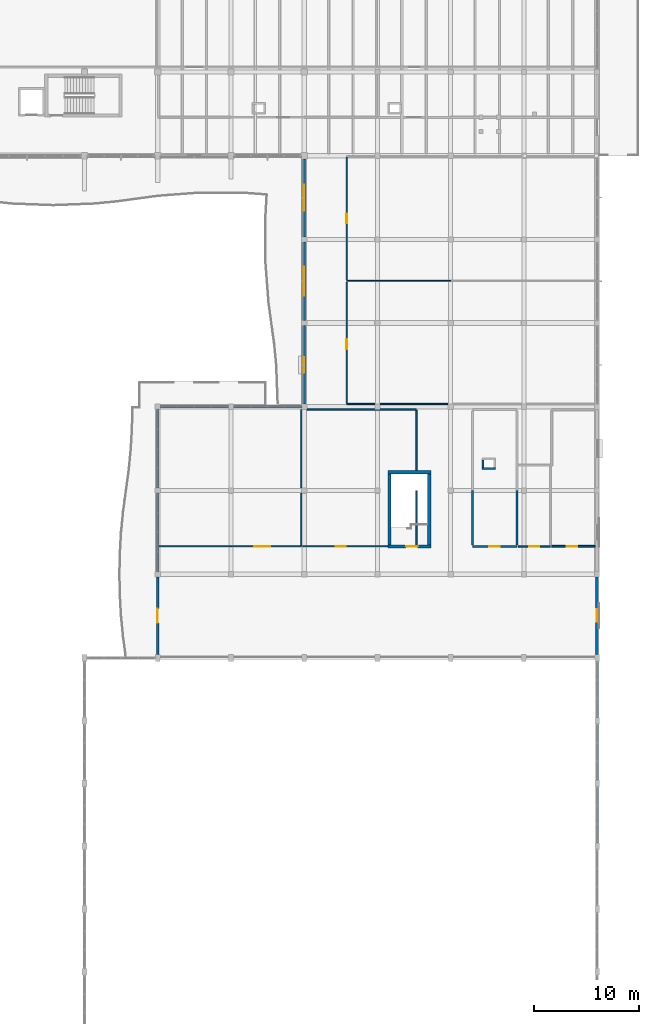
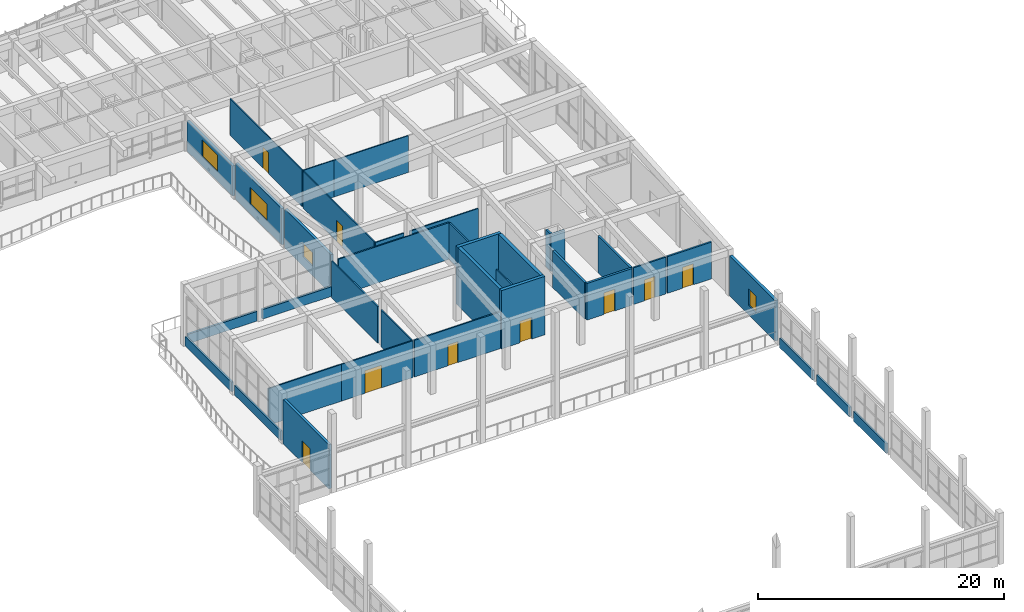
# One storey, part 63 of 89: 37 walls, 9 doors, 4 windows, 13 openings.
"""IFC4 building model written with IfcOpenShell, lengths in metres."""

from ifc_helpers import new_model, si_unit, direction, frame, frame_2d, origin, place, context, subcontext, project, spatial, rectangle, extrude, material, layer, layer_set, type_object, element, fill, save


model = new_model("IFC4")

# Units and contexts
model_context = context("Model", 3, precision=1e-05, world=origin(), true_north=direction((0.0, 1.0)))
body_context = subcontext(model_context, "Body", "Model", "MODEL_VIEW")
ifc_project = project(units=[si_unit("LENGTHUNIT", "METRE"), si_unit("AREAUNIT", "SQUARE_METRE"), si_unit("VOLUMEUNIT", "CUBIC_METRE"), si_unit("PLANEANGLEUNIT", "RADIAN"), si_unit("MASSUNIT", "GRAM", prefix="KILO")], contexts=[model_context])

# Site, building, storey
site_placement = place(None, origin())
site = spatial("IfcSite", under=ifc_project, at=site_placement, CompositionType="ELEMENT")
building_placement = place(site_placement, origin())
building = spatial("IfcBuilding", under=site, at=building_placement, Name="Tonlespit Floodbar School", CompositionType="ELEMENT")
storey_placement = place(building_placement, frame((0.0, 0.0, 4.5)))
storey = spatial("IfcBuildingStorey", under=building, at=storey_placement, Name="L01", CompositionType="ELEMENT", Elevation=4.5)

# Wall, opening, door
ifc_material_1 = material(Name="Concrete C40/50", Category="concrete")
ifc_layer_1 = layer(ifc_material_1, 0.300048828125)
ifc_layer_set_1 = layer_set([ifc_layer_1], Name="Concrete C40/50")
wall_type_1 = type_object("IfcWallType", Name="CoreWall_RC_300", PredefinedType="SHEAR", material=ifc_layer_set_1)
wall_1_placement = place(storey_placement, frame((160.10009765625, 66.64990234375, 0.0), z_axis=(0.0, 0.0, 1.0), x_axis=(-1.0, 0.0, 0.0)))
wall_1 = element("IfcWall", 1, at=wall_1_placement, inside=storey, type_object=wall_type_1, Name="L01 core C5 shear wall NEAR", PredefinedType="SHEAR", context=body_context, shape_type="SweptSolid", body=[
    extrude(rectangle(XDim=4.10009765625, YDim=0.300048828125, at=frame_2d((2.050048828125, 0.0))), origin(), (0.0, 0.0, 1.0), 5.802734375),
])
opening_1_placement = place(wall_1_placement, frame((1.25, 0.0, 0.0)))
opening_1 = element("IfcOpeningElement", 2, at=opening_1_placement, cuts=wall_1, Name="Opening FD1-C5-L01", PredefinedType="OPENING", context=body_context, shape_type="SweptSolid", body=[
    extrude(rectangle(XDim=1.10009765625, YDim=2.14990234375, at=frame_2d((0.550048828125, 1.074951171875))), frame((0.0, 0.159912109375, 0.0), z_axis=(0.0, -1.0, 0.0), x_axis=(1.0, 0.0, 0.0)), (0.0, 0.0, 1.0), 0.320068359375),
])
ifc_material_2 = material(Name="Galvanised Steel", Category="steel")
door_type_1 = type_object("IfcDoorType", Name="FireDoor_Stair_1100x2150", OperationType="NOTDEFINED", PredefinedType="DOOR", material=ifc_material_2)
door_1_placement = place(opening_1_placement, origin())
door_1 = element("IfcDoor", 3, at=door_1_placement, inside=storey, type_object=door_type_1, Name="L01 stair ST-C5 fire door", OperationType="SINGLE_SWING_LEFT", OverallHeight=2.14990234375, OverallWidth=1.10009765625, PredefinedType="DOOR", context=body_context, shape_type="SweptSolid", body=[
    extrude(rectangle(XDim=1.10009765625, YDim=2.14990234375, at=frame_2d((0.550048828125, 1.074951171875))), frame((0.0, 0.02490234375, 0.0), z_axis=(0.0, -1.0, 0.0), x_axis=(1.0, 0.0, 0.0)), (0.0, 0.0, 1.0), 0.050048828125),
])
fill(opening_1, door_1)

# Walls
wall_2_placement = place(storey_placement, frame((156.0, 73.75, 0.0), z_axis=(0.0, 0.0, 1.0), x_axis=(1.0, 0.0, 0.0)))
element("IfcWall", 4, at=wall_2_placement, inside=storey, type_object=wall_type_1, Name="L01 core C5 shear wall FAR", PredefinedType="SHEAR", context=body_context, shape_type="SweptSolid", body=[
    extrude(rectangle(XDim=4.10009765625, YDim=0.300048828125, at=frame_2d((2.050048828125, 0.0))), origin(), (0.0, 0.0, 1.0), 5.802734375),
])
for number, where, z_axis, x_axis, name in (
    (5, (159.949951171875, 66.800048828125, 0.0), (0.0, 0.0, 1.0), (0.0, 1.0, 0.0), "L01 core C5 shear wall LEFT"),
    (6, (156.14990234375, 73.60009765625, 0.0), (0.0, 0.0, 1.0), (0.0, -1.0, 0.0), "L01 core C5 shear wall RGHT"),
):
    element("IfcWall", number, at=place(storey_placement, frame(where, z_axis=z_axis, x_axis=x_axis)), inside=storey, type_object=wall_type_1, Name=name, PredefinedType="SHEAR", context=body_context, shape_type="SweptSolid", body=[
        extrude(rectangle(XDim=6.800048828125, YDim=0.300048828125, at=frame_2d((3.39990234375, 0.0))), origin(), (0.0, 0.0, 1.0), 5.802734375),
    ])

# Wall, opening, door
ifc_material_3 = material(Name="Precast concrete C40/50", Category="concrete")
ifc_layer_2 = layer(ifc_material_3, 0.239990234375)
ifc_layer_set_2 = layer_set([ifc_layer_2], Name="Precast concrete C40/50")
wall_type_2 = type_object("IfcWallType", Name="ExtWall_Rainscreen_240", PredefinedType="SOLIDWALL", material=ifc_layer_set_2)
wall_3_placement = place(storey_placement, frame((134.0, 56.324951171875, 0.0), z_axis=(0.0, 0.0, 1.0), x_axis=(0.0, 1.0, 0.0)))
wall_3 = element("IfcWall", 7, at=wall_3_placement, inside=storey, type_object=wall_type_2, Name="L01 external wall 0502", PredefinedType="SOLIDWALL", context=body_context, shape_type="SweptSolid", body=[
    extrude(rectangle(XDim=7.425048828125, YDim=0.239990234375, at=frame_2d((3.71240234375, 0.0))), origin(), (0.0, 0.0, 1.0), 4.39990234375),
])
opening_2_placement = place(wall_3_placement, frame((3.03759765625, 0.0, 0.0)))
opening_2 = element("IfcOpeningElement", 8, at=opening_2_placement, cuts=wall_3, Name="Opening D-TR-027", PredefinedType="OPENING", context=body_context, shape_type="SweptSolid", body=[
    extrude(rectangle(XDim=1.35009765625, YDim=2.14990234375, at=frame_2d((0.675048828125, 1.074951171875))), frame((0.0, 0.1298828125, 0.0), z_axis=(0.0, -1.0, 0.0), x_axis=(1.0, 0.0, 0.0)), (0.0, 0.0, 1.0), 0.260009765625),
])
ifc_material_4 = material(Name="Anodised Aluminium", Category="aluminium")
door_type_2 = type_object("IfcDoorType", Name="ExtDoor_Terrace_1350x2150", OperationType="NOTDEFINED", PredefinedType="DOOR", material=ifc_material_4)
door_2_placement = place(opening_2_placement, origin())
door_2 = element("IfcDoor", 9, at=door_2_placement, inside=storey, type_object=door_type_2, Name="L01 exterior door D-TR-027", OperationType="SINGLE_SWING_LEFT", OverallHeight=2.14990234375, OverallWidth=1.35009765625, PredefinedType="DOOR", context=body_context, shape_type="SweptSolid", body=[
    extrude(rectangle(XDim=1.35009765625, YDim=2.14990234375, at=frame_2d((0.675048828125, 1.074951171875))), frame((0.0, 0.02490234375, 0.0), z_axis=(0.0, -1.0, 0.0), x_axis=(1.0, 0.0, 0.0)), (0.0, 0.0, 1.0), 0.050048828125),
])
fill(opening_2, door_2)

# Wall, opening, window
wall_4_placement = place(storey_placement, frame((148.0, 96.25, 0.0), z_axis=(0.0, 0.0, 1.0), x_axis=(0.0, 1.0, 0.0)))
wall_4 = element("IfcWall", 10, at=wall_4_placement, inside=storey, type_object=wall_type_2, Name="L01 external wall 0590", PredefinedType="SOLIDWALL", context=body_context, shape_type="SweptSolid", body=[
    extrude(rectangle(XDim=7.449951171875, YDim=0.239990234375, at=frame_2d((3.72509765625, 0.0))), origin(), (0.0, 0.0, 1.0), 3.0),
])
opening_3_placement = place(wall_4_placement, frame((2.47509765625, 0.0, 0.949951171875)))
opening_3 = element("IfcOpeningElement", 11, at=opening_3_placement, cuts=wall_4, Name="Opening W-L01-079", PredefinedType="OPENING", context=body_context, shape_type="SweptSolid", body=[
    extrude(rectangle(XDim=2.5, YDim=1.64990234375, at=frame_2d((1.25, 0.824951171875))), frame((0.0, 0.1298828125, 0.0), z_axis=(0.0, -1.0, 0.0), x_axis=(1.0, 0.0, 0.0)), (0.0, 0.0, 1.0), 0.260009765625),
])
ifc_material_5 = material(Name="Tempered Double Glazing", Category="glass")
window_type_1 = type_object("IfcWindowType", Name="Win_Mod_2500x1650", PartitioningType="DOUBLE_PANEL_VERTICAL", PredefinedType="WINDOW", material=ifc_material_5)
window_1_placement = place(opening_3_placement, origin())
window_1 = element("IfcWindow", 12, at=window_1_placement, inside=storey, type_object=window_type_1, Name="L01 window W-L01-079", OverallHeight=1.64990234375, OverallWidth=2.5, PartitioningType="DOUBLE_PANEL_VERTICAL", PredefinedType="WINDOW", context=body_context, shape_type="SweptSolid", body=[
    extrude(rectangle(XDim=2.5, YDim=1.64990234375, at=frame_2d((1.25, 0.824951171875))), frame((0.0, 0.030029296875, 0.0), z_axis=(0.0, -1.0, 0.0), x_axis=(1.0, 0.0, 0.0)), (0.0, 0.0, 1.0), 0.06005859375),
])
fill(opening_3, window_1)

wall_5_placement = place(storey_placement, frame((148.0, 88.25, 0.0), z_axis=(0.0, 0.0, 1.0), x_axis=(0.0, 1.0, 0.0)))
wall_5 = element("IfcWall", 13, at=wall_5_placement, inside=storey, type_object=wall_type_2, Name="L01 external wall 0592", PredefinedType="SOLIDWALL", context=body_context, shape_type="SweptSolid", body=[
    extrude(rectangle(XDim=7.5, YDim=0.239990234375, at=frame_2d((3.75, 0.0))), origin(), (0.0, 0.0, 1.0), 3.606201171875),
])
opening_4_placement = place(wall_5_placement, frame((2.375, 0.0, 0.949951171875)))
opening_4 = element("IfcOpeningElement", 14, at=opening_4_placement, cuts=wall_5, Name="Opening W-L01-080", PredefinedType="OPENING", context=body_context, shape_type="SweptSolid", body=[
    extrude(rectangle(XDim=2.75, YDim=1.64990234375, at=frame_2d((1.375, 0.824951171875))), frame((0.0, 0.1298828125, 0.0), z_axis=(0.0, -1.0, 0.0), x_axis=(1.0, 0.0, 0.0)), (0.0, 0.0, 1.0), 0.260009765625),
])
window_type_2 = type_object("IfcWindowType", Name="Win_Mod_2750x1650", PartitioningType="DOUBLE_PANEL_VERTICAL", PredefinedType="WINDOW", material=ifc_material_5)
window_2_placement = place(opening_4_placement, origin())
window_2 = element("IfcWindow", 15, at=window_2_placement, inside=storey, type_object=window_type_2, Name="L01 window W-L01-080", OverallHeight=1.64990234375, OverallWidth=2.75, PartitioningType="DOUBLE_PANEL_VERTICAL", PredefinedType="WINDOW", context=body_context, shape_type="SweptSolid", body=[
    extrude(rectangle(XDim=2.75, YDim=1.64990234375, at=frame_2d((1.375, 0.824951171875))), frame((0.0, 0.030029296875, 0.0), z_axis=(0.0, -1.0, 0.0), x_axis=(1.0, 0.0, 0.0)), (0.0, 0.0, 1.0), 0.06005859375),
])
fill(opening_4, window_2)

wall_6_placement = place(storey_placement, frame((148.0, 80.25, 0.0), z_axis=(0.0, 0.0, 1.0), x_axis=(0.0, 1.0, 0.0)))
wall_6 = element("IfcWall", 16, at=wall_6_placement, inside=storey, type_object=wall_type_2, Name="L01 external wall 0594", PredefinedType="SOLIDWALL", context=body_context, shape_type="SweptSolid", body=[
    extrude(rectangle(XDim=7.5, YDim=0.239990234375, at=frame_2d((3.75, 0.0))), origin(), (0.0, 0.0, 1.0), 3.8837890625),
])
opening_5_placement = place(wall_6_placement, frame((3.0, 0.0, 0.949951171875)))
opening_5 = element("IfcOpeningElement", 17, at=opening_5_placement, cuts=wall_6, Name="Opening W-L01-081", PredefinedType="OPENING", context=body_context, shape_type="SweptSolid", body=[
    extrude(rectangle(XDim=1.5, YDim=1.35009765625, at=frame_2d((0.75, 0.675048828125))), frame((0.0, 0.1298828125, 0.0), z_axis=(0.0, -1.0, 0.0), x_axis=(1.0, 0.0, 0.0)), (0.0, 0.0, 1.0), 0.260009765625),
])
window_type_3 = type_object("IfcWindowType", Name="Win_Mod_1500x1350", PartitioningType="SINGLE_PANEL", PredefinedType="WINDOW", material=ifc_material_5)
window_3_placement = place(opening_5_placement, origin())
window_3 = element("IfcWindow", 18, at=window_3_placement, inside=storey, type_object=window_type_3, Name="L01 window W-L01-081", OverallHeight=1.35009765625, OverallWidth=1.5, PartitioningType="SINGLE_PANEL", PredefinedType="WINDOW", context=body_context, shape_type="SweptSolid", body=[
    extrude(rectangle(XDim=1.5, YDim=1.35009765625, at=frame_2d((0.75, 0.675048828125))), frame((0.0, 0.030029296875, 0.0), z_axis=(0.0, -1.0, 0.0), x_axis=(1.0, 0.0, 0.0)), (0.0, 0.0, 1.0), 0.06005859375),
])
fill(opening_5, window_3)

ifc_layer_3 = layer(ifc_material_3, 0.27490234375)
ifc_layer_set_3 = layer_set([ifc_layer_3], Name="Precast concrete C40/50")
wall_type_3 = type_object("IfcWallType", Name="ExtWall_Rainscreen_275", PredefinedType="SOLIDWALL", material=ifc_layer_set_3)
wall_7_placement = place(storey_placement, frame((176.0, 63.75, 0.0), z_axis=(0.0, 0.0, 1.0), x_axis=(0.0, -1.0, 0.0)))
wall_7 = element("IfcWall", 19, at=wall_7_placement, inside=storey, type_object=wall_type_3, Name="L01 external wall 0503", PredefinedType="SOLIDWALL", context=body_context, shape_type="SweptSolid", body=[
    extrude(rectangle(XDim=7.425048828125, YDim=0.27490234375, at=frame_2d((3.71240234375, 0.0))), origin(), (0.0, 0.0, 1.0), 4.004638671875),
])
opening_6_placement = place(wall_7_placement, frame((3.112548828125, 0.0, 0.949951171875)))
opening_6 = element("IfcOpeningElement", 20, at=opening_6_placement, cuts=wall_7, Name="Opening W-L01-073", PredefinedType="OPENING", context=body_context, shape_type="SweptSolid", body=[
    extrude(rectangle(XDim=1.199951171875, YDim=1.64990234375, at=frame_2d((0.60009765625, 0.824951171875))), frame((0.0, 0.1474609375, 0.0), z_axis=(0.0, -1.0, 0.0), x_axis=(1.0, 0.0, 0.0)), (0.0, 0.0, 1.0), 0.294921875),
])
window_type_4 = type_object("IfcWindowType", Name="Win_Mod_1200x1650", PartitioningType="SINGLE_PANEL", PredefinedType="WINDOW", material=ifc_material_5)
window_4_placement = place(opening_6_placement, origin())
window_4 = element("IfcWindow", 21, at=window_4_placement, inside=storey, type_object=window_type_4, Name="L01 window W-L01-073", OverallHeight=1.64990234375, OverallWidth=1.199951171875, PartitioningType="SINGLE_PANEL", PredefinedType="WINDOW", context=body_context, shape_type="SweptSolid", body=[
    extrude(rectangle(XDim=1.199951171875, YDim=1.64990234375, at=frame_2d((0.60009765625, 0.824951171875))), frame((0.0, 0.030029296875, 0.0), z_axis=(0.0, -1.0, 0.0), x_axis=(1.0, 0.0, 0.0)), (0.0, 0.0, 1.0), 0.06005859375),
])
fill(opening_6, window_4)

# Walls
ifc_material_6 = material(Name="White Architectural Precast concrete C40/50", Category="concrete")
ifc_layer_4 = layer(ifc_material_6, 0.18505859375)
ifc_layer_set_4 = layer_set([ifc_layer_4], Name="White Architectural Precast concrete C40/50")
wall_type_4 = type_object("IfcWallType", Name="ExtWall_Spandrel_White_185", PredefinedType="SOLIDWALL", material=ifc_layer_set_4)
for number, where, z_axis, x_axis, name in (
    (22, (176.0, 55.675048828125, -0.260009765625), (0.0, 0.0, 1.0), (0.0, -1.0, 0.0), "L01 spandrel wall 0481"),
    (23, (176.0, 49.675048828125, -0.260009765625), (0.0, 0.0, 1.0), (0.0, -1.0, 0.0), "L01 spandrel wall 0483"),
    (24, (176.0, 43.675048828125, -0.260009765625), (0.0, 0.0, 1.0), (0.0, -1.0, 0.0), "L01 spandrel wall 0485"),
):
    element("IfcWall", number, at=place(storey_placement, frame(where, z_axis=z_axis, x_axis=x_axis)), inside=storey, type_object=wall_type_4, Name=name, PredefinedType="SOLIDWALL", context=body_context, shape_type="SweptSolid", body=[
        extrude(rectangle(XDim=5.35009765625, YDim=0.18505859375, at=frame_2d((2.675048828125, 0.0))), origin(), (0.0, 0.0, 1.0), 0.949951171875),
    ])
for number, where, z_axis, x_axis, name in (
    (25, (134.0, 64.25, 0.0), (0.0, 0.0, 1.0), (0.0, 1.0, 0.0), "L01 spandrel wall 0504"),
    (26, (134.0, 72.25, 0.0), (0.0, 0.0, 1.0), (0.0, 1.0, 0.0), "L01 spandrel wall 0506"),
):
    element("IfcWall", number, at=place(storey_placement, frame(where, z_axis=z_axis, x_axis=x_axis)), inside=storey, type_object=wall_type_4, Name=name, PredefinedType="SOLIDWALL", context=body_context, shape_type="SweptSolid", body=[
        extrude(rectangle(XDim=7.5, YDim=0.18505859375, at=frame_2d((3.75, 0.0))), origin(), (0.0, 0.0, 1.0), 0.949951171875),
    ])
for number, where, z_axis, x_axis, name in (
    (27, (134.25, 80.0, 0.0), (0.0, 0.0, 1.0), (1.0, 0.0, 0.0), "L01 spandrel wall 0508"),
    (28, (141.25, 80.0, 0.0), (0.0, 0.0, 1.0), (1.0, 0.0, 0.0), "L01 spandrel wall 0509"),
):
    element("IfcWall", number, at=place(storey_placement, frame(where, z_axis=z_axis, x_axis=x_axis)), inside=storey, type_object=wall_type_4, Name=name, PredefinedType="SOLIDWALL", context=body_context, shape_type="SweptSolid", body=[
        extrude(rectangle(XDim=6.5, YDim=0.18505859375, at=frame_2d((3.25, 0.0))), origin(), (0.0, 0.0, 1.0), 0.949951171875),
    ])
ifc_layer_5 = layer(ifc_material_1, 0.199951171875)
ifc_layer_set_5 = layer_set([ifc_layer_5], Name="Concrete C40/50")
wall_type_5 = type_object("IfcWallType", Name="FireWall_Plant_200", PredefinedType="PARTITIONING", material=ifc_layer_set_5)
wall_8_placement = place(storey_placement, frame((166.300048828125, 74.10009765625, 0.0), z_axis=(0.0, 0.0, 1.0), x_axis=(-1.0, 0.0, 0.0)))
element("IfcWall", 29, at=wall_8_placement, inside=storey, type_object=wall_type_5, Name="L01 service riser 08 wall S", PredefinedType="PARTITIONING", context=body_context, shape_type="SweptSolid", body=[
    extrude(rectangle(XDim=1.300048828125, YDim=0.199951171875, at=frame_2d((0.64990234375, 0.0))), origin(), (0.0, 0.0, 1.0), 3.64990234375),
])
wall_9_placement = place(storey_placement, frame((165.10009765625, 74.199951171875, 0.0), z_axis=(0.0, 0.0, 1.0), x_axis=(0.0, 1.0, 0.0)))
element("IfcWall", 30, at=wall_9_placement, inside=storey, type_object=wall_type_5, Name="L01 service riser 08 wall W", PredefinedType="PARTITIONING", context=body_context, shape_type="SweptSolid", body=[
    extrude(rectangle(XDim=0.699951171875, YDim=0.199951171875, at=frame_2d((0.35009765625, 0.0))), origin(), (0.0, 0.0, 1.0), 3.64990234375),
])

# Wall, opening, door
wall_10_placement = place(storey_placement, frame((164.070068359375, 66.669921875, 0.0), z_axis=(0.0, 0.0, 1.0), x_axis=(1.0, 0.0, 0.0)))
wall_10 = element("IfcWall", 31, at=wall_10_placement, inside=storey, type_object=wall_type_5, Name="L01 partition wall 0308", PredefinedType="PARTITIONING", context=body_context, shape_type="SweptSolid", body=[
    extrude(rectangle(XDim=4.260009765625, YDim=0.199951171875, at=frame_2d((2.1298828125, 0.0))), origin(), (0.0, 0.0, 1.0), 3.64990234375),
])
opening_7_placement = place(wall_10_placement, frame((1.6298828125, 0.0, 0.0)))
opening_7 = element("IfcOpeningElement", 32, at=opening_7_placement, cuts=wall_10, Name="Opening D-L01-089", PredefinedType="OPENING", context=body_context, shape_type="SweptSolid", body=[
    extrude(rectangle(XDim=1.0, YDim=2.14990234375, at=frame_2d((0.5, 1.074951171875))), frame((0.0, 0.10986328125, 0.0), z_axis=(0.0, -1.0, 0.0), x_axis=(1.0, 0.0, 0.0)), (0.0, 0.0, 1.0), 0.219970703125),
])
ifc_material_7 = material(Name="Hardwood Timber", Category="wood")
door_type_3 = type_object("IfcDoorType", Name="FireDoor_Compartment_1000x2150", OperationType="NOTDEFINED", PredefinedType="DOOR", material=ifc_material_7)
door_3_placement = place(opening_7_placement, origin())
door_3 = element("IfcDoor", 33, at=door_3_placement, inside=storey, type_object=door_type_3, Name="L01 interior door D-L01-089", OperationType="SINGLE_SWING_RIGHT", OverallHeight=2.14990234375, OverallWidth=1.0, PredefinedType="DOOR", context=body_context, shape_type="SweptSolid", body=[
    extrude(rectangle(XDim=1.0, YDim=2.14990234375, at=frame_2d((0.5, 1.074951171875))), frame((0.0, 0.02490234375, 0.0), z_axis=(0.0, -1.0, 0.0), x_axis=(1.0, 0.0, 0.0)), (0.0, 0.0, 1.0), 0.050048828125),
])
fill(opening_7, door_3)

# Walls
for number, where, z_axis, x_axis, name in (
    (34, (164.070068359375, 66.784912109375, 0.0), (0.0, 0.0, 1.0), (0.0, 1.0, 0.0), "L01 partition wall 0310"),
    (35, (168.330078125, 66.784912109375, 0.0), (0.0, 0.0, 1.0), (0.0, 1.0, 0.0), "L01 partition wall 0312"),
):
    element("IfcWall", number, at=place(storey_placement, frame(where, z_axis=z_axis, x_axis=x_axis)), inside=storey, type_object=wall_type_5, Name=name, PredefinedType="PARTITIONING", context=body_context, shape_type="SweptSolid", body=[
        extrude(rectangle(XDim=5.215087890625, YDim=0.199951171875, at=frame_2d((2.607421875, 0.0))), origin(), (0.0, 0.0, 1.0), 3.64990234375),
    ])
ifc_material_8 = material(Name="Gypsum Plasterboard Partition")
ifc_layer_6 = layer(ifc_material_8, 0.10009765625)
ifc_layer_set_6 = layer_set([ifc_layer_6], Name="Gypsum Plasterboard Partition")
wall_type_6 = type_object("IfcWallType", Name="Partition_Gyp_100", PredefinedType="PARTITIONING", material=ifc_layer_set_6)
wall_11_placement = place(storey_placement, frame((152.070068359375, 92.070068359375, 0.0), z_axis=(0.0, 0.0, 1.0), x_axis=(1.0, 0.0, 0.0)))
element("IfcWall", 36, at=wall_11_placement, inside=storey, type_object=wall_type_6, Name="L01 partition wall 0376", PredefinedType="PARTITIONING", context=body_context, shape_type="SweptSolid", body=[
    extrude(rectangle(XDim=2.929931640625, YDim=0.10009765625, at=frame_2d((1.46484375, 0.0))), origin(), (0.0, 0.0, 1.0), 3.64990234375),
])
wall_12_placement = place(storey_placement, frame((155.0, 92.070068359375, 0.0), z_axis=(0.0, 0.0, 1.0), x_axis=(1.0, 0.0, 0.0)))
element("IfcWall", 37, at=wall_12_placement, inside=storey, type_object=wall_type_6, Name="L01 partition wall 0377", PredefinedType="PARTITIONING", context=body_context, shape_type="SweptSolid", body=[
    extrude(rectangle(XDim=7.0, YDim=0.10009765625, at=frame_2d((3.5, 0.0))), origin(), (0.0, 0.0, 1.0), 3.64990234375),
])

# Wall, opening, door
wall_13_placement = place(storey_placement, frame((152.070068359375, 92.135009765625, 0.0), z_axis=(0.0, 0.0, 1.0), x_axis=(0.0, 1.0, 0.0)))
wall_13 = element("IfcWall", 38, at=wall_13_placement, inside=storey, type_object=wall_type_6, Name="L01 partition wall 0384", PredefinedType="PARTITIONING", context=body_context, shape_type="SweptSolid", body=[
    extrude(rectangle(XDim=11.72998046875, YDim=0.10009765625, at=frame_2d((5.864990234375, 0.0))), origin(), (0.0, 0.0, 1.0), 3.64990234375),
])
opening_8_placement = place(wall_13_placement, frame((5.405029296875, 0.0, 0.0)))
opening_8 = element("IfcOpeningElement", 39, at=opening_8_placement, cuts=wall_13, Name="Opening D-L01-104", PredefinedType="OPENING", context=body_context, shape_type="SweptSolid", body=[
    extrude(rectangle(XDim=0.919921875, YDim=2.10009765625, at=frame_2d((0.4599609375, 1.050048828125))), frame((0.0, 0.06005859375, 0.0), z_axis=(0.0, -1.0, 0.0), x_axis=(1.0, 0.0, 0.0)), (0.0, 0.0, 1.0), 0.1201171875),
])
door_type_4 = type_object("IfcDoorType", Name="IntDoor_920x2100", OperationType="NOTDEFINED", PredefinedType="DOOR", material=ifc_material_7)
door_4_placement = place(opening_8_placement, origin())
door_4 = element("IfcDoor", 40, at=door_4_placement, inside=storey, type_object=door_type_4, Name="L01 interior door D-L01-104", OperationType="SINGLE_SWING_LEFT", OverallHeight=2.10009765625, OverallWidth=0.919921875, PredefinedType="DOOR", context=body_context, shape_type="SweptSolid", body=[
    extrude(rectangle(XDim=0.919921875, YDim=2.10009765625, at=frame_2d((0.4599609375, 1.050048828125))), frame((0.0, 0.02490234375, 0.0), z_axis=(0.0, -1.0, 0.0), x_axis=(1.0, 0.0, 0.0)), (0.0, 0.0, 1.0), 0.050048828125),
])
fill(opening_8, door_4)

# Walls
ifc_layer_7 = layer(ifc_material_8, 0.110107421875)
ifc_layer_set_7 = layer_set([ifc_layer_7], Name="Gypsum Plasterboard Partition")
wall_type_7 = type_object("IfcWallType", Name="Partition_Gyp_110", PredefinedType="PARTITIONING", material=ifc_layer_set_7)
wall_14_placement = place(storey_placement, frame((152.070068359375, 80.27001953125, 0.0), z_axis=(0.0, 0.0, 1.0), x_axis=(1.0, 0.0, 0.0)))
element("IfcWall", 41, at=wall_14_placement, inside=storey, type_object=wall_type_7, Name="L01 partition wall 0385", PredefinedType="PARTITIONING", context=body_context, shape_type="SweptSolid", body=[
    extrude(rectangle(XDim=2.6650390625, YDim=0.110107421875, at=frame_2d((1.33251953125, 0.0))), origin(), (0.0, 0.0, 1.0), 3.64990234375),
])
wall_15_placement = place(storey_placement, frame((155.264892578125, 80.27001953125, 0.0), z_axis=(0.0, 0.0, 1.0), x_axis=(1.0, 0.0, 0.0)))
element("IfcWall", 42, at=wall_15_placement, inside=storey, type_object=wall_type_7, Name="L01 partition wall 0386", PredefinedType="PARTITIONING", context=body_context, shape_type="SweptSolid", body=[
    extrude(rectangle(XDim=6.47021484375, YDim=0.110107421875, at=frame_2d((3.235107421875, 0.0))), origin(), (0.0, 0.0, 1.0), 3.64990234375),
])

# Wall, opening, door
wall_16_placement = place(storey_placement, frame((152.070068359375, 80.340087890625, 0.0), z_axis=(0.0, 0.0, 1.0), x_axis=(0.0, 1.0, 0.0)))
wall_16 = element("IfcWall", 43, at=wall_16_placement, inside=storey, type_object=wall_type_7, Name="L01 partition wall 0389", PredefinedType="PARTITIONING", context=body_context, shape_type="SweptSolid", body=[
    extrude(rectangle(XDim=11.58984375, YDim=0.110107421875, at=frame_2d((5.794921875, 0.0))), origin(), (0.0, 0.0, 1.0), 3.64990234375),
])
opening_9_placement = place(wall_16_placement, frame((5.18505859375, 0.0, 0.0)))
opening_9 = element("IfcOpeningElement", 44, at=opening_9_placement, cuts=wall_16, Name="Opening D-L01-105", PredefinedType="OPENING", context=body_context, shape_type="SweptSolid", body=[
    extrude(rectangle(XDim=0.949951171875, YDim=2.10009765625, at=frame_2d((0.47509765625, 1.050048828125))), frame((0.0, 0.06494140625, 0.0), z_axis=(0.0, -1.0, 0.0), x_axis=(1.0, 0.0, 0.0)), (0.0, 0.0, 1.0), 0.130126953125),
])
door_type_5 = type_object("IfcDoorType", Name="IntDoor_950x2100", OperationType="NOTDEFINED", PredefinedType="DOOR", material=ifc_material_7)
door_5_placement = place(opening_9_placement, origin())
door_5 = element("IfcDoor", 45, at=door_5_placement, inside=storey, type_object=door_type_5, Name="L01 interior door D-L01-105", OperationType="SINGLE_SWING_RIGHT", OverallHeight=2.10009765625, OverallWidth=0.949951171875, PredefinedType="DOOR", context=body_context, shape_type="SweptSolid", body=[
    extrude(rectangle(XDim=0.949951171875, YDim=2.10009765625, at=frame_2d((0.47509765625, 1.050048828125))), frame((0.0, 0.02490234375, 0.0), z_axis=(0.0, -1.0, 0.0), x_axis=(1.0, 0.0, 0.0)), (0.0, 0.0, 1.0), 0.050048828125),
])
fill(opening_9, door_5)

# Wall
ifc_layer_8 = layer(ifc_material_8, 0.1201171875)
ifc_layer_set_8 = layer_set([ifc_layer_8], Name="Gypsum Plasterboard Partition")
wall_type_8 = type_object("IfcWallType", Name="Partition_Gyp_120", PredefinedType="PARTITIONING", material=ifc_layer_set_8)
wall_17_placement = place(storey_placement, frame((134.134521484375, 66.669921875, 0.0), z_axis=(0.0, 0.0, 1.0), x_axis=(1.0, 0.0, 0.0)))
element("IfcWall", 46, at=wall_17_placement, inside=storey, type_object=wall_type_8, Name="L01 partition wall 0300", PredefinedType="PARTITIONING", context=body_context, shape_type="SweptSolid", body=[
    extrude(rectangle(XDim=6.865478515625, YDim=0.1201171875, at=frame_2d((3.4326171875, 0.0))), origin(), (0.0, 0.0, 1.0), 3.64990234375),
])

# Wall, opening, door
wall_18_placement = place(storey_placement, frame((141.0, 66.669921875, 0.0), z_axis=(0.0, 0.0, 1.0), x_axis=(1.0, 0.0, 0.0)))
wall_18 = element("IfcWall", 47, at=wall_18_placement, inside=storey, type_object=wall_type_8, Name="L01 partition wall 0301", PredefinedType="PARTITIONING", context=body_context, shape_type="SweptSolid", body=[
    extrude(rectangle(XDim=6.72998046875, YDim=0.1201171875, at=frame_2d((3.364990234375, 0.0))), origin(), (0.0, 0.0, 1.0), 3.64990234375),
])
opening_10_placement = place(wall_18_placement, frame((2.219970703125, 0.0, 0.0)))
opening_10 = element("IfcOpeningElement", 48, at=opening_10_placement, cuts=wall_18, Name="Opening D-L01-087", PredefinedType="OPENING", context=body_context, shape_type="SweptSolid", body=[
    extrude(rectangle(XDim=1.56005859375, YDim=2.25, at=frame_2d((0.780029296875, 1.125))), frame((0.0, 0.070068359375, 0.0), z_axis=(0.0, -1.0, 0.0), x_axis=(1.0, 0.0, 0.0)), (0.0, 0.0, 1.0), 0.14013671875),
])
door_type_6 = type_object("IfcDoorType", Name="IntDoor_1560x2250", OperationType="NOTDEFINED", PredefinedType="DOOR", material=ifc_material_7)
door_6_placement = place(opening_10_placement, origin())
door_6 = element("IfcDoor", 49, at=door_6_placement, inside=storey, type_object=door_type_6, Name="L01 interior door D-L01-087", OperationType="SINGLE_SWING_RIGHT", OverallHeight=2.25, OverallWidth=1.56005859375, PredefinedType="DOOR", context=body_context, shape_type="SweptSolid", body=[
    extrude(rectangle(XDim=1.56005859375, YDim=2.25, at=frame_2d((0.780029296875, 1.125))), frame((0.0, 0.02490234375, 0.0), z_axis=(0.0, -1.0, 0.0), x_axis=(1.0, 0.0, 0.0)), (0.0, 0.0, 1.0), 0.050048828125),
])
fill(opening_10, door_6)

# Walls
wall_19_placement = place(storey_placement, frame((147.72998046875, 66.7451171875, 0.0), z_axis=(0.0, 0.0, 1.0), x_axis=(0.0, 1.0, 0.0)))
element("IfcWall", 50, at=wall_19_placement, inside=storey, type_object=wall_type_8, Name="L01 partition wall 0302", PredefinedType="PARTITIONING", context=body_context, shape_type="SweptSolid", body=[
    extrude(rectangle(XDim=4.989990234375, YDim=0.1201171875, at=frame_2d((2.4951171875, 0.0))), origin(), (0.0, 0.0, 1.0), 3.64990234375),
])
wall_20_placement = place(storey_placement, frame((147.72998046875, 72.264892578125, 0.0), z_axis=(0.0, 0.0, 1.0), x_axis=(0.0, 1.0, 0.0)))
element("IfcWall", 51, at=wall_20_placement, inside=storey, type_object=wall_type_8, Name="L01 partition wall 0303", PredefinedType="PARTITIONING", context=body_context, shape_type="SweptSolid", body=[
    extrude(rectangle(XDim=7.47021484375, YDim=0.1201171875, at=frame_2d((3.735107421875, 0.0))), origin(), (0.0, 0.0, 1.0), 3.64990234375),
])

# Wall, opening, door
ifc_layer_9 = layer(ifc_material_8, 0.1298828125)
ifc_layer_set_9 = layer_set([ifc_layer_9], Name="Gypsum Plasterboard Partition")
wall_type_9 = type_object("IfcWallType", Name="Partition_Gyp_130", PredefinedType="PARTITIONING", material=ifc_layer_set_9)
wall_21_placement = place(storey_placement, frame((147.8701171875, 66.669921875, 0.0), z_axis=(0.0, 0.0, 1.0), x_axis=(1.0, 0.0, 0.0)))
wall_21 = element("IfcWall", 52, at=wall_21_placement, inside=storey, type_object=wall_type_9, Name="L01 partition wall 0304", PredefinedType="PARTITIONING", context=body_context, shape_type="SweptSolid", body=[
    extrude(rectangle(XDim=8.10986328125, YDim=0.1298828125, at=frame_2d((4.054931640625, 0.0))), origin(), (0.0, 0.0, 1.0), 3.64990234375),
])
opening_11_placement = place(wall_21_placement, frame((3.169921875, 0.0, 0.0)))
opening_11 = element("IfcOpeningElement", 53, at=opening_11_placement, cuts=wall_21, Name="Opening D-L01-088", PredefinedType="OPENING", context=body_context, shape_type="SweptSolid", body=[
    extrude(rectangle(XDim=0.919921875, YDim=2.10009765625, at=frame_2d((0.4599609375, 1.050048828125))), frame((0.0, 0.074951171875, 0.0), z_axis=(0.0, -1.0, 0.0), x_axis=(1.0, 0.0, 0.0)), (0.0, 0.0, 1.0), 0.14990234375),
])
door_7_placement = place(opening_11_placement, origin())
door_7 = element("IfcDoor", 54, at=door_7_placement, inside=storey, type_object=door_type_4, Name="L01 interior door D-L01-088", OperationType="SINGLE_SWING_LEFT", OverallHeight=2.10009765625, OverallWidth=0.919921875, PredefinedType="DOOR", context=body_context, shape_type="SweptSolid", body=[
    extrude(rectangle(XDim=0.919921875, YDim=2.10009765625, at=frame_2d((0.4599609375, 1.050048828125))), frame((0.0, 0.02490234375, 0.0), z_axis=(0.0, -1.0, 0.0), x_axis=(1.0, 0.0, 0.0)), (0.0, 0.0, 1.0), 0.050048828125),
])
fill(opening_11, door_7)

# Walls
wall_22_placement = place(storey_placement, frame((148.264892578125, 79.72998046875, 0.0), z_axis=(0.0, 0.0, 1.0), x_axis=(1.0, 0.0, 0.0)))
element("IfcWall", 55, at=wall_22_placement, inside=storey, type_object=wall_type_9, Name="L01 partition wall 0305", PredefinedType="PARTITIONING", context=body_context, shape_type="SweptSolid", body=[
    extrude(rectangle(XDim=10.465087890625, YDim=0.1298828125, at=frame_2d((5.232421875, 0.0))), origin(), (0.0, 0.0, 1.0), 3.64990234375),
])
wall_23_placement = place(storey_placement, frame((158.72998046875, 66.81494140625, 0.0), z_axis=(0.0, 0.0, 1.0), x_axis=(0.0, 1.0, 0.0)))
element("IfcWall", 56, at=wall_23_placement, inside=storey, type_object=wall_type_9, Name="L01 partition wall 0306", PredefinedType="PARTITIONING", context=body_context, shape_type="SweptSolid", body=[
    extrude(rectangle(XDim=5.18505859375, YDim=0.1298828125, at=frame_2d((2.592529296875, 0.0))), origin(), (0.0, 0.0, 1.0), 3.64990234375),
])
wall_24_placement = place(storey_placement, frame((158.72998046875, 73.9150390625, 0.0), z_axis=(0.0, 0.0, 1.0), x_axis=(0.0, 1.0, 0.0)))
element("IfcWall", 57, at=wall_24_placement, inside=storey, type_object=wall_type_9, Name="L01 partition wall 0307", PredefinedType="PARTITIONING", context=body_context, shape_type="SweptSolid", body=[
    extrude(rectangle(XDim=5.73486328125, YDim=0.1298828125, at=frame_2d((2.867431640625, 0.0))), origin(), (0.0, 0.0, 1.0), 3.64990234375),
])

# Wall, opening, door
ifc_layer_10 = layer(ifc_material_8, 0.14990234375)
ifc_layer_set_10 = layer_set([ifc_layer_10], Name="Gypsum Plasterboard Partition")
wall_type_10 = type_object("IfcWallType", Name="Partition_Gyp_150", PredefinedType="PARTITIONING", material=ifc_layer_set_10)
wall_25_placement = place(storey_placement, frame((168.469970703125, 66.669921875, 0.0), z_axis=(0.0, 0.0, 1.0), x_axis=(1.0, 0.0, 0.0)))
wall_25 = element("IfcWall", 58, at=wall_25_placement, inside=storey, type_object=wall_type_10, Name="L01 partition wall 0314", PredefinedType="PARTITIONING", context=body_context, shape_type="SweptSolid", body=[
    extrude(rectangle(XDim=3.06005859375, YDim=0.14990234375, at=frame_2d((1.530029296875, 0.0))), origin(), (0.0, 0.0, 1.0), 3.64990234375),
])
opening_12_placement = place(wall_25_placement, frame((1.0400390625, 0.0, 0.0)))
opening_12 = element("IfcOpeningElement", 59, at=opening_12_placement, cuts=wall_25, Name="Opening D-L01-090", PredefinedType="OPENING", context=body_context, shape_type="SweptSolid", body=[
    extrude(rectangle(XDim=0.97998046875, YDim=2.10009765625, at=frame_2d((0.489990234375, 1.050048828125))), frame((0.0, 0.0849609375, 0.0), z_axis=(0.0, -1.0, 0.0), x_axis=(1.0, 0.0, 0.0)), (0.0, 0.0, 1.0), 0.169921875),
])
door_type_7 = type_object("IfcDoorType", Name="IntDoor_980x2100", OperationType="NOTDEFINED", PredefinedType="DOOR", material=ifc_material_7)
door_8_placement = place(opening_12_placement, origin())
door_8 = element("IfcDoor", 60, at=door_8_placement, inside=storey, type_object=door_type_7, Name="L01 interior door D-L01-090", OperationType="SINGLE_SWING_LEFT", OverallHeight=2.10009765625, OverallWidth=0.97998046875, PredefinedType="DOOR", context=body_context, shape_type="SweptSolid", body=[
    extrude(rectangle(XDim=0.97998046875, YDim=2.10009765625, at=frame_2d((0.489990234375, 1.050048828125))), frame((0.0, 0.02490234375, 0.0), z_axis=(0.0, -1.0, 0.0), x_axis=(1.0, 0.0, 0.0)), (0.0, 0.0, 1.0), 0.050048828125),
])
fill(opening_12, door_8)

ifc_layer_11 = layer(ifc_material_8, 0.169921875)
ifc_layer_set_11 = layer_set([ifc_layer_11], Name="Gypsum Plasterboard Partition")
wall_type_11 = type_object("IfcWallType", Name="Partition_Gyp_170", PredefinedType="PARTITIONING", material=ifc_layer_set_11)
wall_26_placement = place(storey_placement, frame((171.669921875, 66.669921875, 0.0), z_axis=(0.0, 0.0, 1.0), x_axis=(1.0, 0.0, 0.0)))
wall_26 = element("IfcWall", 61, at=wall_26_placement, inside=storey, type_object=wall_type_11, Name="L01 partition wall 0317", PredefinedType="PARTITIONING", context=body_context, shape_type="SweptSolid", body=[
    extrude(rectangle(XDim=4.150634765625, YDim=0.169921875, at=frame_2d((2.0751953125, 0.0))), origin(), (0.0, 0.0, 1.0), 3.64990234375),
])
opening_13_placement = place(wall_26_placement, frame((1.419921875, 0.0, 0.0)))
opening_13 = element("IfcOpeningElement", 62, at=opening_13_placement, cuts=wall_26, Name="Opening D-L01-091", PredefinedType="OPENING", context=body_context, shape_type="SweptSolid", body=[
    extrude(rectangle(XDim=1.02001953125, YDim=2.10009765625, at=frame_2d((0.510009765625, 1.050048828125))), frame((0.0, 0.094970703125, 0.0), z_axis=(0.0, -1.0, 0.0), x_axis=(1.0, 0.0, 0.0)), (0.0, 0.0, 1.0), 0.18994140625),
])
door_type_8 = type_object("IfcDoorType", Name="IntDoor_1020x2100", OperationType="NOTDEFINED", PredefinedType="DOOR", material=ifc_material_7)
door_9_placement = place(opening_13_placement, origin())
door_9 = element("IfcDoor", 63, at=door_9_placement, inside=storey, type_object=door_type_8, Name="L01 interior door D-L01-091", OperationType="SINGLE_SWING_RIGHT", OverallHeight=2.10009765625, OverallWidth=1.02001953125, PredefinedType="DOOR", context=body_context, shape_type="SweptSolid", body=[
    extrude(rectangle(XDim=1.02001953125, YDim=2.10009765625, at=frame_2d((0.510009765625, 1.050048828125))), frame((0.0, 0.02490234375, 0.0), z_axis=(0.0, -1.0, 0.0), x_axis=(1.0, 0.0, 0.0)), (0.0, 0.0, 1.0), 0.050048828125),
])
fill(opening_13, door_9)

save(model, "model.ifc")
